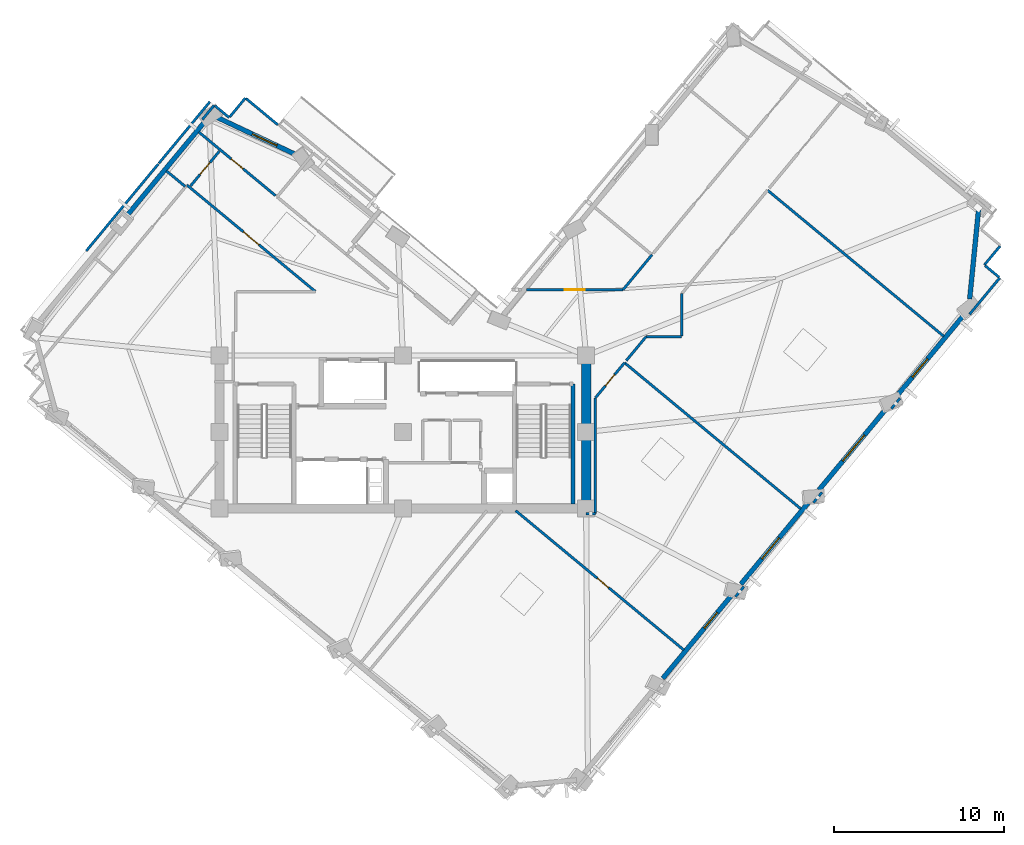
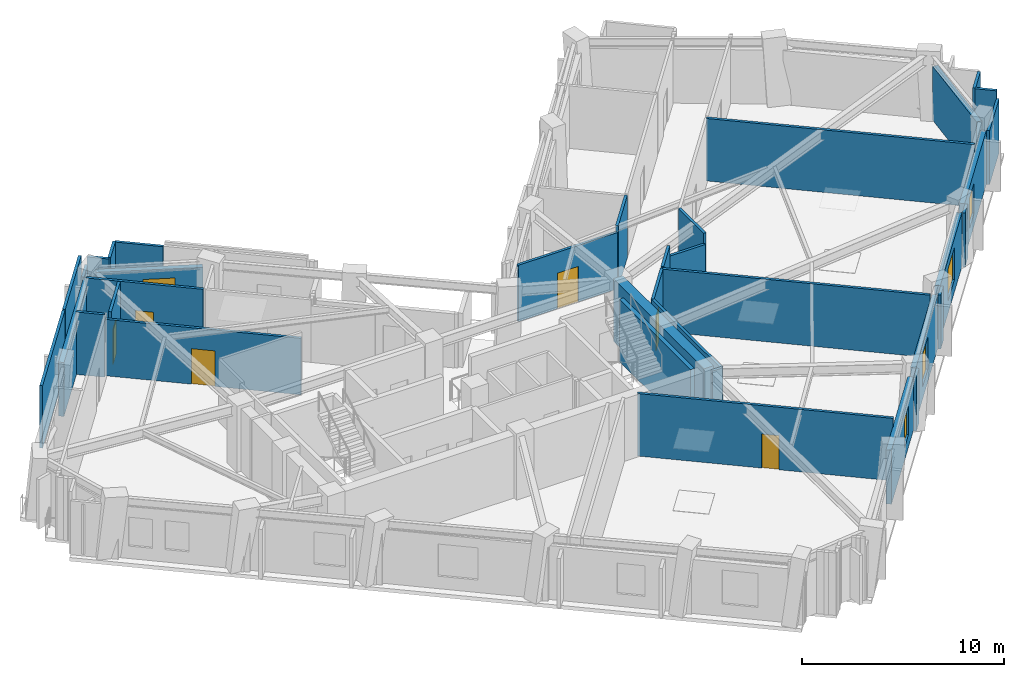
# One storey, part 6 of 10: 36 walls, 6 doors, 5 windows, 11 openings.
"""IFC4 building model written with IfcOpenShell, lengths in metres."""

from ifc_helpers import new_model, si_unit, direction, frame, frame_2d, origin, place, context, subcontext, project, spatial, rectangle, extrude, material, layer, layer_set, type_object, element, fill, save


model = new_model("IFC4")

# Units and contexts
model_context = context("Model", 3, precision=1e-05, world=origin(), true_north=direction((0.0, 1.0)))
body_context = subcontext(model_context, "Body", "Model", "MODEL_VIEW")
ifc_project = project(units=[si_unit("LENGTHUNIT", "METRE"), si_unit("AREAUNIT", "SQUARE_METRE"), si_unit("VOLUMEUNIT", "CUBIC_METRE"), si_unit("PLANEANGLEUNIT", "RADIAN"), si_unit("MASSUNIT", "GRAM", prefix="KILO")], contexts=[model_context])

# Site, building, storey
site_placement = place(None, origin())
site = spatial("IfcSite", under=ifc_project, at=site_placement, CompositionType="ELEMENT")
building_placement = place(site_placement, origin())
building = spatial("IfcBuilding", under=site, at=building_placement, Name="Gaonmaruhae Medical Tower", CompositionType="ELEMENT")
storey_placement = place(building_placement, frame((0.0, 0.0, 239.199951171875)))
storey = spatial("IfcBuildingStorey", under=building, at=storey_placement, Name="L57", CompositionType="ELEMENT", Elevation=239.199951171875)

# Wall
ifc_material_1 = material(Name="Concrete C50/60", Category="concrete")
ifc_layer_1 = layer(ifc_material_1, 0.550048828125)
ifc_layer_set_1 = layer_set([ifc_layer_1], Name="Concrete C50/60")
wall_type_1 = type_object("IfcWallType", Name="CW-550 Mid-High Core Shear Wall", PredefinedType="SHEAR", material=ifc_layer_set_1)
wall_1_placement = place(storey_placement, frame((35.60009765625, 7.800048828125, 0.0), z_axis=(0.0, 0.0, 1.0), x_axis=(0.0, 1.0, 0.0)))
element("IfcWall", 1, at=wall_1_placement, inside=storey, type_object=wall_type_1, Name="L57 Core Shear Wall CSW-E1", PredefinedType="SHEAR", context=body_context, shape_type="SweptSolid", body=[
    extrude(rectangle(XDim=9.0, YDim=0.550048828125, at=frame_2d((4.5, 0.0))), origin(), (0.0, 0.0, 1.0), 3.780029296875),
])

# Wall, opening, window
ifc_material_2 = material(Name="Precast concrete C45/55", Category="concrete")
ifc_layer_2 = layer(ifc_material_2, 0.280029296875)
ifc_layer_set_2 = layer_set([ifc_layer_2], Name="Precast concrete C45/55")
wall_type_2 = type_object("IfcWallType", Name="EW-280 Upper Precast Masonry-Frame Facade Wall", PredefinedType="SOLIDWALL", material=ifc_layer_set_2)
wall_2_placement = place(storey_placement, frame((44.220458984375, 2.74560546875, 0.0), z_axis=(0.0, 0.0, 1.0), x_axis=(-0.63810843214, -0.769946510371, 0.0)))
wall_2 = element("IfcWall", 2, at=wall_2_placement, inside=storey, type_object=wall_type_2, Name="L57 Precast Masonry-Frame Wall S02-S03", PredefinedType="SOLIDWALL", context=body_context, shape_type="SweptSolid", body=[
    extrude(rectangle(XDim=6.438720703125, YDim=0.280029296875, at=frame_2d((3.21923828125, 0.0))), origin(), (0.0, 0.0, 1.0), 3.26513671875),
])
opening_1_placement = place(wall_2_placement, frame((1.395263671875, 0.0, 0.75)))
opening_1 = element("IfcOpeningElement", 3, at=opening_1_placement, cuts=wall_2, Name="Opening WN-05", PredefinedType="OPENING", context=body_context, shape_type="SweptSolid", body=[
    extrude(rectangle(XDim=1.199951171875, YDim=1.75, at=frame_2d((0.60009765625, 0.875))), frame((0.0, 0.14990234375, 0.0), z_axis=(0.0, -1.0, 0.0), x_axis=(1.0, 0.0, 0.0)), (0.0, 0.0, 1.0), 0.300048828125),
])
ifc_material_3 = material(Name="Anodised aluminium and Low-E double glazing", Category="aluminium")
window_type_1 = type_object("IfcWindowType", Name="WN-05 Support & Staff Punched Window 1200x1750", PartitioningType="SINGLE_PANEL", PredefinedType="WINDOW", material=ifc_material_3)
window_1_placement = place(opening_1_placement, origin())
window_1 = element("IfcWindow", 4, at=window_1_placement, inside=storey, type_object=window_type_1, Name="L57 Modular Facade Window S02", OverallHeight=1.75, OverallWidth=1.199951171875, PartitioningType="SINGLE_PANEL", PredefinedType="WINDOW", context=body_context, shape_type="SweptSolid", body=[
    extrude(rectangle(XDim=1.199951171875, YDim=1.75, at=frame_2d((0.60009765625, 0.875))), frame((0.0, 0.030029296875, 0.0), z_axis=(0.0, -1.0, 0.0), x_axis=(1.0, 0.0, 0.0)), (0.0, 0.0, 1.0), 0.06005859375),
])
fill(opening_1, window_1)

wall_3_placement = place(storey_placement, frame((48.809326171875, 8.282958984375, 0.0), z_axis=(0.0, 0.0, 1.0), x_axis=(-0.638092670703, -0.769959572702, 0.0)))
wall_3 = element("IfcWall", 5, at=wall_3_placement, inside=storey, type_object=wall_type_2, Name="L57 Precast Masonry-Frame Wall S03-S04", PredefinedType="SOLIDWALL", context=body_context, shape_type="SweptSolid", body=[
    extrude(rectangle(XDim=6.413330078125, YDim=0.280029296875, at=frame_2d((3.20654296875, 0.0))), origin(), (0.0, 0.0, 1.0), 3.26513671875),
])
opening_2_placement = place(wall_3_placement, frame((2.88330078125, 0.0, 0.75)))
opening_2 = element("IfcOpeningElement", 6, at=opening_2_placement, cuts=wall_3, Name="Opening WN-01", PredefinedType="OPENING", context=body_context, shape_type="SweptSolid", body=[
    extrude(rectangle(XDim=1.60009765625, YDim=1.949951171875, at=frame_2d((0.800048828125, 0.97509765625))), frame((0.0, 0.14990234375, 0.0), z_axis=(0.0, -1.0, 0.0), x_axis=(1.0, 0.0, 0.0)), (0.0, 0.0, 1.0), 0.300048828125),
])
window_type_2 = type_object("IfcWindowType", Name="WN-01 Ward Punched Acoustic Window 1600x1950", PartitioningType="SINGLE_PANEL", PredefinedType="WINDOW", material=ifc_material_3)
window_2_placement = place(opening_2_placement, origin())
window_2 = element("IfcWindow", 7, at=window_2_placement, inside=storey, type_object=window_type_2, Name="L57 Modular Facade Window S03", OverallHeight=1.949951171875, OverallWidth=1.60009765625, PartitioningType="SINGLE_PANEL", PredefinedType="WINDOW", context=body_context, shape_type="SweptSolid", body=[
    extrude(rectangle(XDim=1.60009765625, YDim=1.949951171875, at=frame_2d((0.800048828125, 0.97509765625))), frame((0.0, 0.030029296875, 0.0), z_axis=(0.0, -1.0, 0.0), x_axis=(1.0, 0.0, 0.0)), (0.0, 0.0, 1.0), 0.06005859375),
])
fill(opening_2, window_2)

wall_4_placement = place(storey_placement, frame((53.404296875, 13.827392578125, 0.0), z_axis=(0.0, 0.0, 1.0), x_axis=(-0.63810565325, -0.769948813422, 0.0)))
wall_4 = element("IfcWall", 8, at=wall_4_placement, inside=storey, type_object=wall_type_2, Name="L57 Precast Masonry-Frame Wall S04-S05", PredefinedType="SOLIDWALL", context=body_context, shape_type="SweptSolid", body=[
    extrude(rectangle(XDim=6.406982421875, YDim=0.280029296875, at=frame_2d((3.20361328125, 0.0))), origin(), (0.0, 0.0, 1.0), 3.26513671875),
])
opening_3_placement = place(wall_4_placement, frame((2.203857421875, 0.0, 0.75)))
opening_3 = element("IfcOpeningElement", 9, at=opening_3_placement, cuts=wall_4, Name="Opening WN-02", PredefinedType="OPENING", context=body_context, shape_type="SweptSolid", body=[
    extrude(rectangle(XDim=2.0, YDim=1.949951171875, at=frame_2d((1.0, 0.97509765625))), frame((0.0, 0.14990234375, 0.0), z_axis=(0.0, -1.0, 0.0), x_axis=(1.0, 0.0, 0.0)), (0.0, 0.0, 1.0), 0.300048828125),
])
window_type_3 = type_object("IfcWindowType", Name="WN-02 Double-Bed Ward Punched Window 2000x1950", PartitioningType="SINGLE_PANEL", PredefinedType="WINDOW", material=ifc_material_3)
window_3_placement = place(opening_3_placement, origin())
window_3 = element("IfcWindow", 10, at=window_3_placement, inside=storey, type_object=window_type_3, Name="L57 Modular Facade Window S04", OverallHeight=1.949951171875, OverallWidth=2.0, PartitioningType="SINGLE_PANEL", PredefinedType="WINDOW", context=body_context, shape_type="SweptSolid", body=[
    extrude(rectangle(XDim=2.0, YDim=1.949951171875, at=frame_2d((1.0, 0.97509765625))), frame((0.0, 0.030029296875, 0.0), z_axis=(0.0, -1.0, 0.0), x_axis=(1.0, 0.0, 0.0)), (0.0, 0.0, 1.0), 0.06005859375),
])
fill(opening_3, window_3)

wall_5_placement = place(storey_placement, frame((58.004638671875, 19.378662109375, 0.0), z_axis=(0.0, 0.0, 1.0), x_axis=(-0.638068125054, -0.769979913888, 0.0)))
wall_5 = element("IfcWall", 11, at=wall_5_placement, inside=storey, type_object=wall_type_2, Name="L57 Precast Masonry-Frame Wall S05-S06", PredefinedType="SOLIDWALL", context=body_context, shape_type="SweptSolid", body=[
    extrude(rectangle(XDim=6.41845703125, YDim=0.280029296875, at=frame_2d((3.209228515625, 0.0))), origin(), (0.0, 0.0, 1.0), 3.26513671875),
])
opening_4_placement = place(wall_5_placement, frame((3.593017578125, 0.0, 0.75)))
opening_4 = element("IfcOpeningElement", 12, at=opening_4_placement, cuts=wall_5, Name="Opening WN-03", PredefinedType="OPENING", context=body_context, shape_type="SweptSolid", body=[
    extrude(rectangle(XDim=1.39990234375, YDim=1.85009765625, at=frame_2d((0.699951171875, 0.925048828125))), frame((0.0, 0.14990234375, 0.0), z_axis=(0.0, -1.0, 0.0), x_axis=(1.0, 0.0, 0.0)), (0.0, 0.0, 1.0), 0.300048828125),
])
window_type_4 = type_object("IfcWindowType", Name="WN-03 Isolation Ward Punched Window 1400x1850", PartitioningType="SINGLE_PANEL", PredefinedType="WINDOW", material=ifc_material_3)
window_4_placement = place(opening_4_placement, origin())
window_4 = element("IfcWindow", 13, at=window_4_placement, inside=storey, type_object=window_type_4, Name="L57 Modular Facade Window S05", OverallHeight=1.85009765625, OverallWidth=1.39990234375, PartitioningType="SINGLE_PANEL", PredefinedType="WINDOW", context=body_context, shape_type="SweptSolid", body=[
    extrude(rectangle(XDim=1.39990234375, YDim=1.85009765625, at=frame_2d((0.699951171875, 0.925048828125))), frame((0.0, 0.030029296875, 0.0), z_axis=(0.0, -1.0, 0.0), x_axis=(1.0, 0.0, 0.0)), (0.0, 0.0, 1.0), 0.06005859375),
])
fill(opening_4, window_4)

# Wall
wall_6_placement = place(storey_placement, frame((58.718994140625, 25.402587890625, 0.0), z_axis=(0.0, 0.0, 1.0), x_axis=(-0.099289114545, -0.995058627284, 0.0)))
element("IfcWall", 14, at=wall_6_placement, inside=storey, type_object=wall_type_2, Name="L57 Precast Masonry-Frame Wall S06-E01", PredefinedType="SOLIDWALL", context=body_context, shape_type="SweptSolid", body=[
    extrude(rectangle(XDim=5.2939453125, YDim=0.280029296875, at=frame_2d((2.64697265625, 0.0))), origin(), (0.0, 0.0, 1.0), 3.26513671875),
])

# Wall, opening, window
wall_7_placement = place(storey_placement, frame((13.835205078125, 30.848876953125, 0.0), z_axis=(0.0, 0.0, 1.0), x_axis=(0.904309874902, -0.426876621701, 0.0)))
wall_7 = element("IfcWall", 15, at=wall_7_placement, inside=storey, type_object=wall_type_2, Name="L57 Precast Masonry-Frame Wall NE02-N01", PredefinedType="SOLIDWALL", context=body_context, shape_type="SweptSolid", body=[
    extrude(rectangle(XDim=5.30224609375, YDim=0.280029296875, at=frame_2d((2.651123046875, 0.0))), origin(), (0.0, 0.0, 1.0), 3.26513671875),
])
opening_5_placement = place(wall_7_placement, frame((2.319580078125, 0.0, 0.75)))
opening_5 = element("IfcOpeningElement", 16, at=opening_5_placement, cuts=wall_7, Name="Opening WN-01", PredefinedType="OPENING", context=body_context, shape_type="SweptSolid", body=[
    extrude(rectangle(XDim=1.60009765625, YDim=1.949951171875, at=frame_2d((0.800048828125, 0.97509765625))), frame((0.0, 0.14990234375, 0.0), z_axis=(0.0, -1.0, 0.0), x_axis=(1.0, 0.0, 0.0)), (0.0, 0.0, 1.0), 0.300048828125),
])
window_5_placement = place(opening_5_placement, origin())
window_5 = element("IfcWindow", 17, at=window_5_placement, inside=storey, type_object=window_type_2, Name="L57 Modular Facade Window NE02", OverallHeight=1.949951171875, OverallWidth=1.60009765625, PartitioningType="SINGLE_PANEL", PredefinedType="WINDOW", context=body_context, shape_type="SweptSolid", body=[
    extrude(rectangle(XDim=1.60009765625, YDim=1.949951171875, at=frame_2d((0.800048828125, 0.97509765625))), frame((0.0, 0.030029296875, 0.0), z_axis=(0.0, -1.0, 0.0), x_axis=(1.0, 0.0, 0.0)), (0.0, 0.0, 1.0), 0.06005859375),
])
fill(opening_5, window_5)

# Wall
wall_8_placement = place(storey_placement, frame((8.3916015625, 24.863525390625, 0.0), z_axis=(0.0, 0.0, 1.0), x_axis=(0.63809853285, 0.769954714496, 0.0)))
element("IfcWall", 18, at=wall_8_placement, inside=storey, type_object=wall_type_2, Name="L57 Precast Masonry-Frame Wall N01-N02", PredefinedType="SOLIDWALL", context=body_context, shape_type="SweptSolid", body=[
    extrude(rectangle(XDim=7.43408203125, YDim=0.280029296875, at=frame_2d((3.717041015625, 0.0))), origin(), (0.0, 0.0, 1.0), 3.26513671875),
])

# Wall, opening, door
ifc_material_4 = material(Name="Gypsum board partition", Category="gypsum")
ifc_layer_3 = layer(ifc_material_4, 0.14990234375)
ifc_layer_set_3 = layer_set([ifc_layer_3], Name="Gypsum board partition")
wall_type_3 = type_object("IfcWallType", Name="PW-150 Rated Clinical Corridor Partition", PredefinedType="PARTITIONING", material=ifc_layer_set_3)
wall_9_placement = place(storey_placement, frame((31.446044921875, 7.675048828125, 0.0), z_axis=(0.0, 0.0, 1.0), x_axis=(0.769940315386, -0.638115906982, 0.0)))
wall_9 = element("IfcWall", 19, at=wall_9_placement, inside=storey, type_object=wall_type_3, Name="L57 Interior Partition L57-SUP01-13", PredefinedType="PARTITIONING", context=body_context, shape_type="SweptSolid", body=[
    extrude(rectangle(XDim=12.865966796875, YDim=0.14990234375, at=frame_2d((6.43310546875, 0.0))), origin(), (0.0, 0.0, 1.0), 3.780029296875),
])
opening_6_placement = place(wall_9_placement, frame((6.256103515625, 0.0, 0.0)))
opening_6 = element("IfcOpeningElement", 20, at=opening_6_placement, cuts=wall_9, Name="Opening AD-01", PredefinedType="OPENING", context=body_context, shape_type="SweptSolid", body=[
    extrude(rectangle(XDim=0.860107421875, YDim=2.06005859375, at=frame_2d((0.43017578125, 1.030029296875))), frame((0.0, 0.0849609375, 0.0), z_axis=(0.0, -1.0, 0.0), x_axis=(1.0, 0.0, 0.0)), (0.0, 0.0, 1.0), 0.169921875),
])
ifc_material_5 = material(Name="Powder-coated steel access door", Category="steel")
door_type_1 = type_object("IfcDoorType", Name="AD-01 Riser & Closet Access Fire Door 860x2060", OperationType="NOTDEFINED", PredefinedType="DOOR", material=ifc_material_5)
door_1_placement = place(opening_6_placement, origin())
door_1 = element("IfcDoor", 21, at=door_1_placement, inside=storey, type_object=door_type_1, Name="L57 Clinical Biomedical Charting Office Sliding Door", OperationType="SLIDING_TO_LEFT", OverallHeight=2.06005859375, OverallWidth=0.860107421875, PredefinedType="DOOR", context=body_context, shape_type="SweptSolid", body=[
    extrude(rectangle(XDim=0.860107421875, YDim=2.06005859375, at=frame_2d((0.43017578125, 1.030029296875))), frame((0.0, 0.02490234375, 0.0), z_axis=(0.0, -1.0, 0.0), x_axis=(1.0, 0.0, 0.0)), (0.0, 0.0, 1.0), 0.050048828125),
])
fill(opening_6, door_1)

wall_10_placement = place(storey_placement, frame((36.14990234375, 14.321044921875, 0.0), z_axis=(0.0, 0.0, 1.0), x_axis=(0.638247693036, 0.769831073895, 0.0)))
wall_10 = element("IfcWall", 22, at=wall_10_placement, inside=storey, type_object=wall_type_3, Name="L57 Interior Partition L57-SUP02-18", PredefinedType="PARTITIONING", context=body_context, shape_type="SweptSolid", body=[
    extrude(rectangle(XDim=2.68115234375, YDim=0.14990234375, at=frame_2d((1.340576171875, 0.0))), origin(), (0.0, 0.0, 1.0), 3.780029296875),
])
opening_7_placement = place(wall_10_placement, frame((0.910400390625, 0.0, 0.0)))
opening_7 = element("IfcOpeningElement", 23, at=opening_7_placement, cuts=wall_10, Name="Opening AD-01", PredefinedType="OPENING", context=body_context, shape_type="SweptSolid", body=[
    extrude(rectangle(XDim=0.860107421875, YDim=2.06005859375, at=frame_2d((0.43017578125, 1.030029296875))), frame((0.0, 0.0849609375, 0.0), z_axis=(0.0, -1.0, 0.0), x_axis=(1.0, 0.0, 0.0)), (0.0, 0.0, 1.0), 0.169921875),
])
door_2_placement = place(opening_7_placement, origin())
door_2 = element("IfcDoor", 24, at=door_2_placement, inside=storey, type_object=door_type_1, Name="L57 Clinical Biomedical Charting Office Sliding Door", OperationType="SLIDING_TO_LEFT", OverallHeight=2.06005859375, OverallWidth=0.860107421875, PredefinedType="DOOR", context=body_context, shape_type="SweptSolid", body=[
    extrude(rectangle(XDim=0.860107421875, YDim=2.06005859375, at=frame_2d((0.43017578125, 1.030029296875))), frame((0.0, 0.02490234375, 0.0), z_axis=(0.0, -1.0, 0.0), x_axis=(1.0, 0.0, 0.0)), (0.0, 0.0, 1.0), 0.050048828125),
])
fill(opening_7, door_2)

# Walls
wall_11_placement = place(storey_placement, frame((37.861083984375, 16.385009765625, 0.0), z_axis=(0.0, 0.0, 1.0), x_axis=(0.769981405267, -0.638066325348, 0.0)))
element("IfcWall", 25, at=wall_11_placement, inside=storey, type_object=wall_type_3, Name="L57 Interior Partition L57-SUP02-19", PredefinedType="PARTITIONING", context=body_context, shape_type="SweptSolid", body=[
    extrude(rectangle(XDim=13.484619140625, YDim=0.14990234375, at=frame_2d((6.7421875, 0.0))), origin(), (0.0, 0.0, 1.0), 3.780029296875),
])
wall_12_placement = place(storey_placement, frame((44.89404296875, 3.197998046875, 0.0), z_axis=(0.0, 0.0, 1.0), x_axis=(-0.638671280647, -0.76947969127, 0.0)))
element("IfcWall", 26, at=wall_12_placement, inside=storey, type_object=wall_type_3, Name="L57 Interior Partition L57-SUP02-20", PredefinedType="PARTITIONING", context=body_context, shape_type="SweptSolid", body=[
    extrude(rectangle(XDim=0.7783203125, YDim=0.14990234375, at=frame_2d((0.38916015625, 0.0))), origin(), (0.0, 0.0, 1.0), 3.26513671875),
])
wall_13_placement = place(storey_placement, frame((35.60009765625, 7.5, 0.0), z_axis=(0.0, 0.0, 1.0), x_axis=(1.0, 0.0, 0.0)))
element("IfcWall", 27, at=wall_13_placement, inside=storey, type_object=wall_type_3, Name="L57 Interior Partition L57-SUP02-21", PredefinedType="PARTITIONING", context=body_context, shape_type="SweptSolid", body=[
    extrude(rectangle(XDim=0.5498046875, YDim=0.14990234375, at=frame_2d((0.27490234375, 0.0))), origin(), (0.0, 0.0, 1.0), 3.780029296875),
])
wall_14_placement = place(storey_placement, frame((36.14990234375, 7.5, 0.0), z_axis=(0.0, 0.0, 1.0), x_axis=(0.0, 1.0, 0.0)))
element("IfcWall", 28, at=wall_14_placement, inside=storey, type_object=wall_type_3, Name="L57 Interior Partition L57-SUP02-22", PredefinedType="PARTITIONING", context=body_context, shape_type="SweptSolid", body=[
    extrude(rectangle(XDim=6.821044921875, YDim=0.14990234375, at=frame_2d((3.41064453125, 0.0))), origin(), (0.0, 0.0, 1.0), 3.780029296875),
])
wall_15_placement = place(storey_placement, frame((41.22998046875, 17.949951171875, 0.0), z_axis=(0.0, 0.0, 1.0), x_axis=(0.0, 1.0, 0.0)))
element("IfcWall", 29, at=wall_15_placement, inside=storey, type_object=wall_type_3, Name="L57 Interior Partition L57-SUP03-23", PredefinedType="PARTITIONING", context=body_context, shape_type="SweptSolid", body=[
    extrude(rectangle(XDim=2.5009765625, YDim=0.14990234375, at=frame_2d((1.25048828125, 0.0))), origin(), (0.0, 0.0, 1.0), 3.780029296875),
])
wall_16_placement = place(storey_placement, frame((46.283935546875, 26.549072265625, 0.0), z_axis=(0.0, 0.0, 1.0), x_axis=(0.769953196948, -0.638100363978, 0.0)))
element("IfcWall", 30, at=wall_16_placement, inside=storey, type_object=wall_type_3, Name="L57 Interior Partition L57-SUP03-25", PredefinedType="PARTITIONING", context=body_context, shape_type="SweptSolid", body=[
    extrude(rectangle(XDim=13.4853515625, YDim=0.14990234375, at=frame_2d((6.74267578125, 0.0))), origin(), (0.0, 0.0, 1.0), 3.780029296875),
])
wall_17_placement = place(storey_placement, frame((54.0859375, 14.2900390625, 0.0), z_axis=(0.0, 0.0, 1.0), x_axis=(-0.638148547555, -0.769913262162, 0.0)))
element("IfcWall", 31, at=wall_17_placement, inside=storey, type_object=wall_type_3, Name="L57 Interior Partition L57-SUP03-26", PredefinedType="PARTITIONING", context=body_context, shape_type="SweptSolid", body=[
    extrude(rectangle(XDim=0.791259765625, YDim=0.14990234375, at=frame_2d((0.3955078125, 0.0))), origin(), (0.0, 0.0, 1.0), 3.26513671875),
])
wall_18_placement = place(storey_placement, frame((49.492919921875, 8.748046875, 0.0), z_axis=(0.0, 0.0, 1.0), x_axis=(-0.638398085615, -0.769706362377, 0.0)))
element("IfcWall", 32, at=wall_18_placement, inside=storey, type_object=wall_type_3, Name="L57 Interior Partition L57-SUP03-27", PredefinedType="PARTITIONING", context=body_context, shape_type="SweptSolid", body=[
    extrude(rectangle(XDim=0.7939453125, YDim=0.14990234375, at=frame_2d((0.39697265625, 0.0))), origin(), (0.0, 0.0, 1.0), 3.26513671875),
])
wall_19_placement = place(storey_placement, frame((37.962890625, 16.509033203125, 0.0), z_axis=(0.0, 0.0, 1.0), x_axis=(0.638387839665, 0.769714860301, 0.0)))
element("IfcWall", 33, at=wall_19_placement, inside=storey, type_object=wall_type_3, Name="L57 Interior Partition L57-SUP03-28", PredefinedType="PARTITIONING", context=body_context, shape_type="SweptSolid", body=[
    extrude(rectangle(XDim=1.8330078125, YDim=0.14990234375, at=frame_2d((0.91650390625, 0.0))), origin(), (0.0, 0.0, 1.0), 3.780029296875),
])
wall_20_placement = place(storey_placement, frame((39.133056640625, 17.919921875, 0.0), z_axis=(0.0, 0.0, 1.0), x_axis=(1.0, 0.0, 0.0)))
element("IfcWall", 34, at=wall_20_placement, inside=storey, type_object=wall_type_3, Name="L57 Interior Partition L57-SUP03-29", PredefinedType="PARTITIONING", context=body_context, shape_type="SweptSolid", body=[
    extrude(rectangle(XDim=2.06982421875, YDim=0.14990234375, at=frame_2d((1.034912109375, 0.0))), origin(), (0.0, 0.0, 1.0), 3.1650390625),
])
wall_21_placement = place(storey_placement, frame((59.969970703125, 21.388916015625, 0.0), z_axis=(0.0, 0.0, 1.0), x_axis=(-0.638202372538, -0.769868645736, 0.0)))
element("IfcWall", 35, at=wall_21_placement, inside=storey, type_object=wall_type_3, Name="L57 Interior Partition L57-SUP04-30", PredefinedType="PARTITIONING", context=body_context, shape_type="SweptSolid", body=[
    extrude(rectangle(XDim=2.8017578125, YDim=0.14990234375, at=frame_2d((1.40087890625, 0.0))), origin(), (0.0, 0.0, 1.0), 3.26513671875),
])
wall_22_placement = place(storey_placement, frame((59.986083984375, 23.258056640625, 0.0), z_axis=(0.0, 0.0, 1.0), x_axis=(-0.638177638488, -0.769889148991, 0.0)))
element("IfcWall", 36, at=wall_22_placement, inside=storey, type_object=wall_type_3, Name="L57 Interior Partition L57-SUP04-38", PredefinedType="PARTITIONING", context=body_context, shape_type="SweptSolid", body=[
    extrude(rectangle(XDim=1.449462890625, YDim=0.14990234375, at=frame_2d((0.724609375, 0.0))), origin(), (0.0, 0.0, 1.0), 3.780029296875),
])
wall_23_placement = place(storey_placement, frame((59.10009765625, 22.110107421875, 0.0), z_axis=(0.0, 0.0, 1.0), x_axis=(0.769646818305, -0.638469870137, 0.0)))
element("IfcWall", 37, at=wall_23_placement, inside=storey, type_object=wall_type_3, Name="L57 Interior Partition L57-SUP04-39", PredefinedType="PARTITIONING", context=body_context, shape_type="SweptSolid", body=[
    extrude(rectangle(XDim=1.07958984375, YDim=0.14990234375, at=frame_2d((0.539794921875, 0.0))), origin(), (0.0, 0.0, 1.0), 3.780029296875),
])

# Wall, opening, door
wall_24_placement = place(storey_placement, frame((12.083984375, 26.85107421875, 0.0), z_axis=(0.0, 0.0, 1.0), x_axis=(0.769957395503, -0.638095297828, 0.0)))
wall_24 = element("IfcWall", 38, at=wall_24_placement, inside=storey, type_object=wall_type_3, Name="L57 Interior Partition L57-WOF06-53", PredefinedType="PARTITIONING", context=body_context, shape_type="SweptSolid", body=[
    extrude(rectangle(XDim=9.82763671875, YDim=0.14990234375, at=frame_2d((4.913818359375, 0.0))), origin(), (0.0, 0.0, 1.0), 3.4150390625),
])
opening_8_placement = place(wall_24_placement, frame((4.31396484375, 0.0, 0.0)))
opening_8 = element("IfcOpeningElement", 39, at=opening_8_placement, cuts=wall_24, Name="Opening CD-02", PredefinedType="OPENING", context=body_context, shape_type="SweptSolid", body=[
    extrude(rectangle(XDim=1.199951171875, YDim=2.14990234375, at=frame_2d((0.60009765625, 1.074951171875))), frame((0.0, 0.0849609375, 0.0), z_axis=(0.0, -1.0, 0.0), x_axis=(1.0, 0.0, 0.0)), (0.0, 0.0, 1.0), 0.169921875),
])
ifc_material_6 = material(Name="Antimicrobial laminate timber fire door", Category="wood")
door_type_2 = type_object("IfcDoorType", Name="CD-02 Clinical Treatment & Procedure Door 1200x2150", OperationType="NOTDEFINED", PredefinedType="DOOR", material=ifc_material_6)
door_3_placement = place(opening_8_placement, origin())
door_3 = element("IfcDoor", 40, at=door_3_placement, inside=storey, type_object=door_type_2, Name="L57 Ward Physician Reporting Office Door", OperationType="SINGLE_SWING_RIGHT", OverallHeight=2.14990234375, OverallWidth=1.199951171875, PredefinedType="DOOR", context=body_context, shape_type="SweptSolid", body=[
    extrude(rectangle(XDim=1.199951171875, YDim=2.14990234375, at=frame_2d((0.60009765625, 1.074951171875))), frame((0.0, 0.02490234375, 0.0), z_axis=(0.0, -1.0, 0.0), x_axis=(1.0, 0.0, 0.0)), (0.0, 0.0, 1.0), 0.050048828125),
])
fill(opening_8, door_3)

# Wall
wall_25_placement = place(storey_placement, frame((39.47998046875, 22.742919921875, 0.0), z_axis=(0.0, 0.0, 1.0), x_axis=(-0.638156773314, -0.769906444104, 0.0)))
element("IfcWall", 41, at=wall_25_placement, inside=storey, type_object=wall_type_3, Name="L57 Interior Partition L57-IE01-57", PredefinedType="PARTITIONING", context=body_context, shape_type="SweptSolid", body=[
    extrude(rectangle(XDim=2.679443359375, YDim=0.14990234375, at=frame_2d((1.33984375, 0.0))), origin(), (0.0, 0.0, 1.0), 3.780029296875),
])

# Wall, opening, door
wall_26_placement = place(storey_placement, frame((37.77001953125, 20.679931640625, 0.0), z_axis=(0.0, 0.0, 1.0), x_axis=(-1.0, 0.0, 0.0)))
wall_26 = element("IfcWall", 42, at=wall_26_placement, inside=storey, type_object=wall_type_3, Name="L57 Interior Partition L57-IE01-58", PredefinedType="PARTITIONING", context=body_context, shape_type="SweptSolid", body=[
    extrude(rectangle(XDim=5.68212890625, YDim=0.14990234375, at=frame_2d((2.841064453125, 0.0))), origin(), (0.0, 0.0, 1.0), 3.4150390625),
])
opening_9_placement = place(wall_26_placement, frame((2.240966796875, 0.0, 0.0)))
opening_9 = element("IfcOpeningElement", 43, at=opening_9_placement, cuts=wall_26, Name="Opening CD-02", PredefinedType="OPENING", context=body_context, shape_type="SweptSolid", body=[
    extrude(rectangle(XDim=1.199951171875, YDim=2.14990234375, at=frame_2d((0.60009765625, 1.074951171875))), frame((0.0, 0.0849609375, 0.0), z_axis=(0.0, -1.0, 0.0), x_axis=(1.0, 0.0, 0.0)), (0.0, 0.0, 1.0), 0.169921875),
])
door_4_placement = place(opening_9_placement, origin())
door_4 = element("IfcDoor", 44, at=door_4_placement, inside=storey, type_object=door_type_2, Name="L57 Central Clinical Nurse Station Door", OperationType="SINGLE_SWING_LEFT", OverallHeight=2.14990234375, OverallWidth=1.199951171875, PredefinedType="DOOR", context=body_context, shape_type="SweptSolid", body=[
    extrude(rectangle(XDim=1.199951171875, YDim=2.14990234375, at=frame_2d((0.60009765625, 1.074951171875))), frame((0.0, 0.02490234375, 0.0), z_axis=(0.0, -1.0, 0.0), x_axis=(1.0, 0.0, 0.0)), (0.0, 0.0, 1.0), 0.050048828125),
])
fill(opening_9, door_4)

wall_27_placement = place(storey_placement, frame((17.302001953125, 26.22802734375, 0.0), z_axis=(0.0, 0.0, 1.0), x_axis=(-0.769901379384, 0.638162883614, 0.0)))
wall_27 = element("IfcWall", 45, at=wall_27_placement, inside=storey, type_object=wall_type_3, Name="L57 Interior Partition L57-IN03-76", PredefinedType="PARTITIONING", context=body_context, shape_type="SweptSolid", body=[
    extrude(rectangle(XDim=5.874755859375, YDim=0.14990234375, at=frame_2d((2.9375, 0.0))), origin(), (0.0, 0.0, 1.0), 3.780029296875),
])
opening_10_placement = place(wall_27_placement, frame((2.477294921875, 0.0, 0.0)))
opening_10 = element("IfcOpeningElement", 46, at=opening_10_placement, cuts=wall_27, Name="Opening UD-01", PredefinedType="OPENING", context=body_context, shape_type="SweptSolid", body=[
    extrude(rectangle(XDim=0.919921875, YDim=2.10009765625, at=frame_2d((0.4599609375, 1.050048828125))), frame((0.0, 0.0849609375, 0.0), z_axis=(0.0, -1.0, 0.0), x_axis=(1.0, 0.0, 0.0)), (0.0, 0.0, 1.0), 0.169921875),
])
ifc_material_7 = material(Name="Powder-coated steel utility door", Category="steel")
door_type_3 = type_object("IfcDoorType", Name="UD-01 Toilet, Utility & Housekeeping Door 920x2100", OperationType="NOTDEFINED", PredefinedType="DOOR", material=ifc_material_7)
door_5_placement = place(opening_10_placement, origin())
door_5 = element("IfcDoor", 47, at=door_5_placement, inside=storey, type_object=door_type_3, Name="L57 Public Visitor Toilet Door", OperationType="SINGLE_SWING_LEFT", OverallHeight=2.10009765625, OverallWidth=0.919921875, PredefinedType="DOOR", context=body_context, shape_type="SweptSolid", body=[
    extrude(rectangle(XDim=0.919921875, YDim=2.10009765625, at=frame_2d((0.4599609375, 1.050048828125))), frame((0.0, 0.02490234375, 0.0), z_axis=(0.0, -1.0, 0.0), x_axis=(1.0, 0.0, 0.0)), (0.0, 0.0, 1.0), 0.050048828125),
])
fill(opening_10, door_5)

# Walls
wall_28_placement = place(storey_placement, frame((12.989013671875, 30.708984375, 0.0), z_axis=(0.0, 0.0, 1.0), x_axis=(0.637653834222, 0.770323041134, 0.0)))
element("IfcWall", 48, at=wall_28_placement, inside=storey, type_object=wall_type_3, Name="L57 Interior Partition L57-IN03-77", PredefinedType="PARTITIONING", context=body_context, shape_type="SweptSolid", body=[
    extrude(rectangle(XDim=1.102294921875, YDim=0.14990234375, at=frame_2d((0.55126953125, 0.0))), origin(), (0.0, 0.0, 1.0), 3.26513671875),
])
wall_29_placement = place(storey_placement, frame((13.72998046875, 31.52587890625, 0.0), z_axis=(0.0, 0.0, 1.0), x_axis=(0.770144070262, -0.637869979729, 0.0)))
element("IfcWall", 49, at=wall_29_placement, inside=storey, type_object=wall_type_3, Name="L57 Interior Partition L57-IN03-78", PredefinedType="PARTITIONING", context=body_context, shape_type="SweptSolid", body=[
    extrude(rectangle(XDim=1.0908203125, YDim=0.14990234375, at=frame_2d((0.54541015625, 0.0))), origin(), (0.0, 0.0, 1.0), 3.780029296875),
])
wall_30_placement = place(storey_placement, frame((14.60205078125, 30.868896484375, 0.0), z_axis=(0.0, 0.0, 1.0), x_axis=(0.638094891958, 0.769957731864, 0.0)))
element("IfcWall", 50, at=wall_30_placement, inside=storey, type_object=wall_type_3, Name="L57 Interior Partition L57-IN03-79", PredefinedType="PARTITIONING", context=body_context, shape_type="SweptSolid", body=[
    extrude(rectangle(XDim=1.44970703125, YDim=0.14990234375, at=frame_2d((0.724853515625, 0.0))), origin(), (0.0, 0.0, 1.0), 3.780029296875),
])
wall_31_placement = place(storey_placement, frame((15.56591796875, 31.952880859375, 0.0), z_axis=(0.0, 0.0, 1.0), x_axis=(0.770011699053, -0.638029766799, 0.0)))
element("IfcWall", 51, at=wall_31_placement, inside=storey, type_object=wall_type_3, Name="L57 Interior Partition L57-IN03-80", PredefinedType="PARTITIONING", context=body_context, shape_type="SweptSolid", body=[
    extrude(rectangle(XDim=2.432373046875, YDim=0.14990234375, at=frame_2d((1.21630859375, 0.0))), origin(), (0.0, 0.0, 1.0), 3.780029296875),
])
wall_32_placement = place(storey_placement, frame((6.15087890625, 22.97509765625, 0.0), z_axis=(0.0, 0.0, 1.0), x_axis=(0.638084508514, 0.769966336923, 0.0)))
element("IfcWall", 52, at=wall_32_placement, inside=storey, type_object=wall_type_3, Name="L57 Interior Partition L57-RM02-82", PredefinedType="PARTITIONING", context=body_context, shape_type="SweptSolid", body=[
    extrude(rectangle(XDim=6.640380859375, YDim=0.14990234375, at=frame_2d((3.3203125, 0.0))), origin(), (0.0, 0.0, 1.0), 3.780029296875),
])
wall_33_placement = place(storey_placement, frame((10.876953125, 27.68310546875, 0.0), z_axis=(0.0, 0.0, 1.0), x_axis=(0.769954945351, -0.638098254291, 0.0)))
element("IfcWall", 53, at=wall_33_placement, inside=storey, type_object=wall_type_3, Name="L57 Interior Partition L57-RM02-83", PredefinedType="PARTITIONING", context=body_context, shape_type="SweptSolid", body=[
    extrude(rectangle(XDim=1.4404296875, YDim=0.14990234375, at=frame_2d((0.72021484375, 0.0))), origin(), (0.0, 0.0, 1.0), 3.780029296875),
])

# Wall, opening, door
wall_34_placement = place(storey_placement, frame((13.99609375, 28.85009765625, 0.0), z_axis=(0.0, 0.0, 1.0), x_axis=(-0.63860255036, -0.769536732504, 0.0)))
wall_34 = element("IfcWall", 54, at=wall_34_placement, inside=storey, type_object=wall_type_3, Name="L57 Interior Partition L57-RM03-85", PredefinedType="PARTITIONING", context=body_context, shape_type="SweptSolid", body=[
    extrude(rectangle(XDim=2.658935546875, YDim=0.14990234375, at=frame_2d((1.32958984375, 0.0))), origin(), (0.0, 0.0, 1.0), 3.780029296875),
])
opening_11_placement = place(wall_34_placement, frame((0.869384765625, 0.0, 0.0)))
opening_11 = element("IfcOpeningElement", 55, at=opening_11_placement, cuts=wall_34, Name="Opening UD-01", PredefinedType="OPENING", context=body_context, shape_type="SweptSolid", body=[
    extrude(rectangle(XDim=0.919921875, YDim=2.10009765625, at=frame_2d((0.4599609375, 1.050048828125))), frame((0.0, 0.0849609375, 0.0), z_axis=(0.0, -1.0, 0.0), x_axis=(1.0, 0.0, 0.0)), (0.0, 0.0, 1.0), 0.169921875),
])
door_6_placement = place(opening_11_placement, origin())
door_6 = element("IfcDoor", 56, at=door_6_placement, inside=storey, type_object=door_type_3, Name="L57 Biomedical Mobile Equipment Bay Door", OperationType="SINGLE_SWING_LEFT", OverallHeight=2.10009765625, OverallWidth=0.919921875, PredefinedType="DOOR", context=body_context, shape_type="SweptSolid", body=[
    extrude(rectangle(XDim=0.919921875, YDim=2.10009765625, at=frame_2d((0.4599609375, 1.050048828125))), frame((0.0, 0.02490234375, 0.0), z_axis=(0.0, -1.0, 0.0), x_axis=(1.0, 0.0, 0.0)), (0.0, 0.0, 1.0), 0.050048828125),
])
fill(opening_11, door_6)

# Walls
wall_35_placement = place(storey_placement, frame((10.426025390625, 28.134033203125, 0.0), z_axis=(0.0, 0.0, 1.0), x_axis=(0.638131773023, 0.769927165554, 0.0)))
element("IfcWall", 57, at=wall_35_placement, inside=storey, type_object=wall_type_3, Name="L57 Interior Partition L57-RM03-86", PredefinedType="PARTITIONING", context=body_context, shape_type="SweptSolid", body=[
    extrude(rectangle(XDim=4.719970703125, YDim=0.14990234375, at=frame_2d((2.35986328125, 0.0))), origin(), (0.0, 0.0, 1.0), 3.780029296875),
])
ifc_layer_4 = layer(ifc_material_1, 0.239990234375)
ifc_layer_set_4 = layer_set([ifc_layer_4], Name="Concrete C50/60")
wall_type_4 = type_object("IfcWallType", Name="SW-240 Dogleg Stair Tight Shaft Wall", PredefinedType="SOLIDWALL", material=ifc_layer_set_4)
wall_36_placement = place(storey_placement, frame((34.830078125, 15.1201171875, 0.0), z_axis=(0.0, 0.0, 1.0), x_axis=(0.0, -1.0, 0.0)))
element("IfcWall", 58, at=wall_36_placement, inside=storey, type_object=wall_type_4, Name="L57 ST-02 Stair Shaft Wall SHW-ST-02-E", PredefinedType="SOLIDWALL", context=body_context, shape_type="SweptSolid", body=[
    extrude(rectangle(XDim=7.045166015625, YDim=0.239990234375, at=frame_2d((3.5224609375, 0.0))), origin(), (0.0, 0.0, 1.0), 3.780029296875),
])

save(model, "model.ifc")
